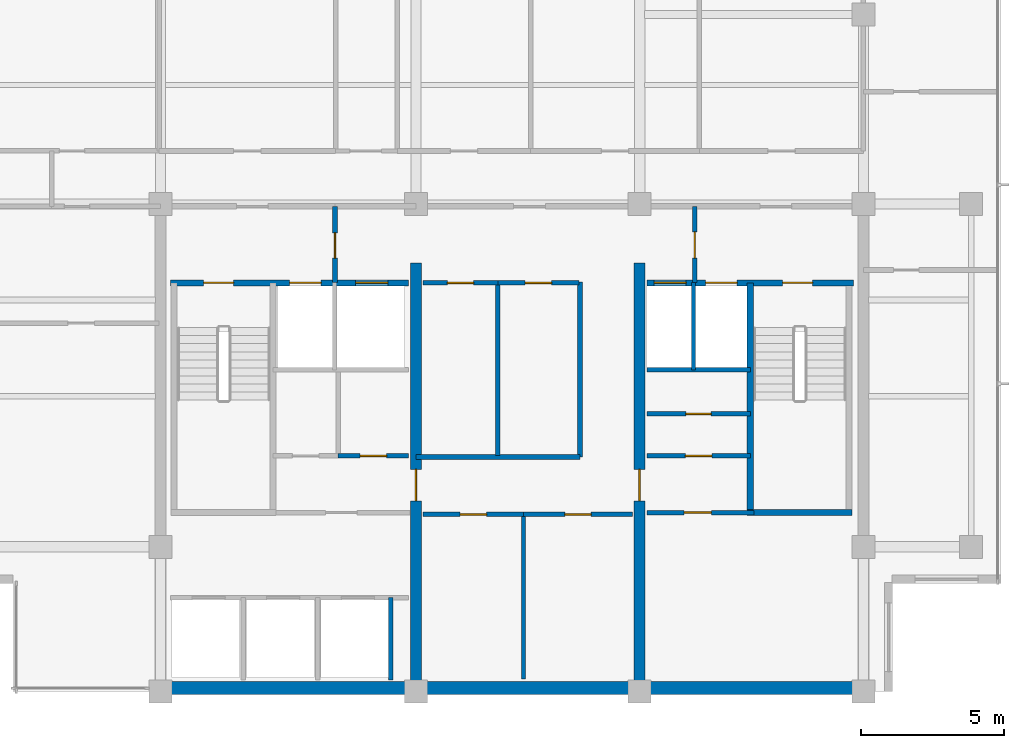
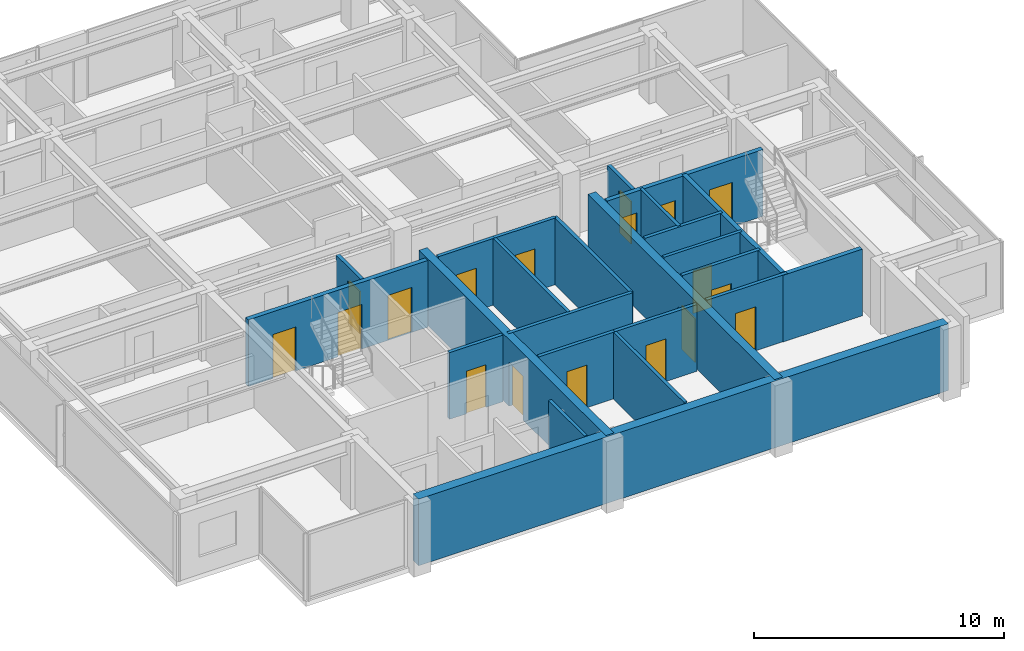
# One storey, part 6 of 11: 24 walls, 18 doors, 18 openings.
"""IFC4 building model written with IfcOpenShell, lengths in metres."""

from ifc_helpers import new_model, si_unit, direction, frame, frame_2d, origin, place, context, subcontext, project, spatial, rectangle, extrude, material, layer, layer_set, type_object, element, fill, save


model = new_model("IFC4")

# Units and contexts
model_context = context("Model", 3, precision=1e-05, world=origin(), true_north=direction((0.0, 1.0)))
body_context = subcontext(model_context, "Body", "Model", "MODEL_VIEW")
ifc_project = project(units=[si_unit("LENGTHUNIT", "METRE"), si_unit("AREAUNIT", "SQUARE_METRE"), si_unit("VOLUMEUNIT", "CUBIC_METRE"), si_unit("PLANEANGLEUNIT", "RADIAN"), si_unit("MASSUNIT", "GRAM", prefix="KILO")], contexts=[model_context])

# Site, building, storey
site_placement = place(None, origin())
site = spatial("IfcSite", under=ifc_project, at=site_placement, CompositionType="ELEMENT")
building_placement = place(site_placement, origin())
building = spatial("IfcBuilding", under=site, at=building_placement, Name="Qalmaran Belvedere Hotel", CompositionType="ELEMENT")
storey_placement = place(building_placement, frame((0.0, 0.0, 266.89990234375)))
storey = spatial("IfcBuildingStorey", under=building, at=storey_placement, Name="L69", CompositionType="ELEMENT", Elevation=266.89990234375)

# Wall, opening, door
ifc_material_1 = material(Name="Concrete C50/60", Category="concrete")
ifc_layer_1 = layer(ifc_material_1, 0.3798828125, Name="Concrete C50/60")
ifc_layer_set_1 = layer_set([ifc_layer_1], Name="Concrete C50/60")
wall_type_1 = type_object("IfcWallType", Name="WL-CORE-380-C50", PredefinedType="SHEAR", material=ifc_layer_set_1)
wall_1_placement = place(storey_placement, frame((29.199951171875, 3.5, 0.0), z_axis=(0.0, 0.0, 1.0), x_axis=(0.0, 1.0, 0.0)))
wall_1 = element("IfcWall", 1, at=wall_1_placement, inside=storey, type_object=wall_type_1, Name="L69 Core West Spine Shear Wall", PredefinedType="SHEAR", context=body_context, shape_type="SweptSolid", body=[
    extrude(rectangle(XDim=14.949951171875, YDim=0.3798828125, at=frame_2d((7.47509765625, 0.0))), origin(), (0.0, 0.0, 1.0), 3.260009765625),
])
opening_1_placement = place(wall_1_placement, frame((7.75, 0.0, 0.0), z_axis=(0.0, 0.0, 1.0), x_axis=(-1.0, 0.0, 0.0)))
opening_1 = element("IfcOpeningElement", 2, at=opening_1_placement, cuts=wall_1, Name="Opening FD90", PredefinedType="OPENING", context=body_context, shape_type="SweptSolid", body=[
    extrude(rectangle(XDim=1.10009765625, YDim=2.14990234375, at=frame_2d((0.550048828125, 1.074951171875))), frame((0.0, 0.199951171875, 0.0), z_axis=(0.0, -1.0, 0.0), x_axis=(1.0, 0.0, 0.0)), (0.0, 0.0, 1.0), 0.39990234375),
])
ifc_material_2 = material(Name="Steel S355JR", Category="steel")
door_type_1 = type_object("IfcDoorType", Name="DR-FD90-1100X2150", OperationType="NOTDEFINED", PredefinedType="DOOR", material=ifc_material_2)
door_1_placement = place(opening_1_placement, origin())
door_1 = element("IfcDoor", 3, at=door_1_placement, inside=storey, type_object=door_type_1, Name="L69 Core West Cross-Lobby Door", OperationType="SINGLE_SWING_RIGHT", OverallHeight=2.14990234375, OverallWidth=1.10009765625, PredefinedType="DOOR", context=body_context, shape_type="SweptSolid", body=[
    extrude(rectangle(XDim=1.10009765625, YDim=2.14990234375, at=frame_2d((0.550048828125, 1.074951171875))), frame((0.0, 0.02490234375, 0.0), z_axis=(0.0, -1.0, 0.0), x_axis=(1.0, 0.0, 0.0)), (0.0, 0.0, 1.0), 0.050048828125),
])
fill(opening_1, door_1)

wall_2_placement = place(storey_placement, frame((37.0, 3.5, 0.0), z_axis=(0.0, 0.0, 1.0), x_axis=(0.0, 1.0, 0.0)))
wall_2 = element("IfcWall", 4, at=wall_2_placement, inside=storey, type_object=wall_type_1, Name="L69 Core East Spine Shear Wall", PredefinedType="SHEAR", context=body_context, shape_type="SweptSolid", body=[
    extrude(rectangle(XDim=14.949951171875, YDim=0.3798828125, at=frame_2d((7.47509765625, 0.0))), origin(), (0.0, 0.0, 1.0), 3.260009765625),
])
opening_2_placement = place(wall_2_placement, frame((6.64990234375, 0.0, 0.0)))
opening_2 = element("IfcOpeningElement", 5, at=opening_2_placement, cuts=wall_2, Name="Opening FD90", PredefinedType="OPENING", context=body_context, shape_type="SweptSolid", body=[
    extrude(rectangle(XDim=1.10009765625, YDim=2.14990234375, at=frame_2d((0.550048828125, 1.074951171875))), frame((0.0, 0.199951171875, 0.0), z_axis=(0.0, -1.0, 0.0), x_axis=(1.0, 0.0, 0.0)), (0.0, 0.0, 1.0), 0.39990234375),
])
door_2_placement = place(opening_2_placement, origin())
door_2 = element("IfcDoor", 6, at=door_2_placement, inside=storey, type_object=door_type_1, Name="L69 Core East Cross-Lobby Door", OperationType="SINGLE_SWING_LEFT", OverallHeight=2.14990234375, OverallWidth=1.10009765625, PredefinedType="DOOR", context=body_context, shape_type="SweptSolid", body=[
    extrude(rectangle(XDim=1.10009765625, YDim=2.14990234375, at=frame_2d((0.550048828125, 1.074951171875))), frame((0.0, 0.02490234375, 0.0), z_axis=(0.0, -1.0, 0.0), x_axis=(1.0, 0.0, 0.0)), (0.0, 0.0, 1.0), 0.050048828125),
])
fill(opening_2, door_2)

# Walls
ifc_layer_2 = layer(ifc_material_1, 0.43994140625, Name="Concrete C50/60")
ifc_layer_set_2 = layer_set([ifc_layer_2], Name="Concrete C50/60")
wall_type_2 = type_object("IfcWallType", Name="WL-CORES-440-EXT", PredefinedType="SHEAR", material=ifc_layer_set_2)
wall_3_placement = place(storey_placement, frame((20.300048828125, 3.6298828125, 0.0), z_axis=(0.0, 0.0, 1.0), x_axis=(1.0, 0.0, 0.0)))
element("IfcWall", 7, at=wall_3_placement, inside=storey, type_object=wall_type_2, Name="L69 South Core Shear Wall", PredefinedType="SHEAR", context=body_context, shape_type="SweptSolid", body=[
    extrude(rectangle(XDim=24.5, YDim=0.43994140625, at=frame_2d((12.25, 0.0))), origin(), (0.0, 0.0, 1.0), 3.260009765625),
])
ifc_material_3 = material(Name="Gypsum Stud Partition")
ifc_layer_3 = layer(ifc_material_3, 0.14990234375, Name="Gypsum Stud Partition")
ifc_layer_set_3 = layer_set([ifc_layer_3], Name="Gypsum Stud Partition")
wall_type_3 = type_object("IfcWallType", Name="WL-INT-150-EI120", PredefinedType="PARTITIONING", material=ifc_layer_set_3)
wall_4_placement = place(storey_placement, frame((38.8798828125, 14.719970703125, 0.0), z_axis=(0.0, 0.0, 1.0), x_axis=(0.0, 1.0, 0.0)))
element("IfcWall", 8, at=wall_4_placement, inside=storey, type_object=wall_type_3, Name="L69 Partition WL-FF2M-L69", PredefinedType="PARTITIONING", context=body_context, shape_type="SweptSolid", body=[
    extrude(rectangle(XDim=3.0400390625, YDim=0.14990234375, at=frame_2d((1.52001953125, 0.0))), origin(), (0.0, 0.0, 1.0), 3.260009765625),
])
wall_5_placement = place(storey_placement, frame((28.320068359375, 3.89990234375, 0.0), z_axis=(0.0, 0.0, 1.0), x_axis=(0.0, 1.0, 0.0)))
element("IfcWall", 9, at=wall_5_placement, inside=storey, type_object=wall_type_3, Name="L69 Partition WL-POM3-L69", PredefinedType="PARTITIONING", context=body_context, shape_type="SweptSolid", body=[
    extrude(rectangle(XDim=2.880126953125, YDim=0.14990234375, at=frame_2d((1.43994140625, 0.0))), origin(), (0.0, 0.0, 1.0), 3.260009765625),
])

# Wall, opening, door
ifc_layer_4 = layer(ifc_material_3, 0.14990234375, Name="Gypsum Stud Partition")
ifc_layer_set_4 = layer_set([ifc_layer_4], Name="Gypsum Stud Partition")
wall_type_4 = type_object("IfcWallType", Name="WL-INT-150-EI60", PredefinedType="PARTITIONING", material=ifc_layer_set_4)
wall_6_placement = place(storey_placement, frame((37.25, 13.18505859375, 0.0), z_axis=(0.0, 0.0, 1.0), x_axis=(1.0, 0.0, 0.0)))
wall_6 = element("IfcWall", 10, at=wall_6_placement, inside=storey, type_object=wall_type_4, Name="L69 Partition WL-L69-KEHM", PredefinedType="PARTITIONING", context=body_context, shape_type="SweptSolid", body=[
    extrude(rectangle(XDim=3.610107421875, YDim=0.14990234375, at=frame_2d((1.80517578125, 0.0))), origin(), (0.0, 0.0, 1.0), 3.260009765625),
])
opening_3_placement = place(wall_6_placement, frame((1.364990234375, 0.0, 0.0)))
opening_3 = element("IfcOpeningElement", 11, at=opening_3_placement, cuts=wall_6, Name="Opening FD60B", PredefinedType="OPENING", context=body_context, shape_type="SweptSolid", body=[
    extrude(rectangle(XDim=0.8798828125, YDim=2.080078125, at=frame_2d((0.43994140625, 1.0400390625))), frame((0.0, 0.0849609375, 0.0), z_axis=(0.0, -1.0, 0.0), x_axis=(1.0, 0.0, 0.0)), (0.0, 0.0, 1.0), 0.169921875),
])
door_type_2 = type_object("IfcDoorType", Name="DR-FD60B-880X2080", OperationType="NOTDEFINED", PredefinedType="DOOR", material=ifc_material_2)
door_3_placement = place(opening_3_placement, origin())
door_3 = element("IfcDoor", 12, at=door_3_placement, inside=storey, type_object=door_type_2, Name="L69 Hotel Linen Closet Door", OperationType="SINGLE_SWING_RIGHT", OverallHeight=2.080078125, OverallWidth=0.8798828125, PredefinedType="DOOR", context=body_context, shape_type="SweptSolid", body=[
    extrude(rectangle(XDim=0.8798828125, YDim=2.080078125, at=frame_2d((0.43994140625, 1.0400390625))), frame((0.0, 0.02490234375, 0.0), z_axis=(0.0, -1.0, 0.0), x_axis=(1.0, 0.0, 0.0)), (0.0, 0.0, 1.0), 0.050048828125),
])
fill(opening_3, door_3)

# Walls
wall_7_placement = place(storey_placement, frame((32.9541015625, 3.949951171875, 0.0), z_axis=(0.0, 0.0, 1.0), x_axis=(0.0, 1.0, 0.0)))
element("IfcWall", 13, at=wall_7_placement, inside=storey, type_object=wall_type_4, Name="L69 Partition WL-L69-KPLV1", PredefinedType="PARTITIONING", context=body_context, shape_type="SweptSolid", body=[
    extrude(rectangle(XDim=5.72998046875, YDim=0.14990234375, at=frame_2d((2.864990234375, 0.0))), origin(), (0.0, 0.0, 1.0), 3.260009765625),
])
wall_8_placement = place(storey_placement, frame((32.056396484375, 11.739990234375, 0.0), z_axis=(0.0, 0.0, 1.0), x_axis=(0.0, 1.0, 0.0)))
element("IfcWall", 14, at=wall_8_placement, inside=storey, type_object=wall_type_4, Name="L69 Partition WL-L69-KPMV1", PredefinedType="PARTITIONING", context=body_context, shape_type="SweptSolid", body=[
    extrude(rectangle(XDim=6.010009765625, YDim=0.14990234375, at=frame_2d((3.0048828125, 0.0))), origin(), (0.0, 0.0, 1.0), 3.260009765625),
])

# Wall, opening, door
ifc_layer_5 = layer(ifc_material_3, 0.159912109375, Name="Gypsum Stud Partition")
ifc_layer_set_5 = layer_set([ifc_layer_5], Name="Gypsum Stud Partition")
wall_type_5 = type_object("IfcWallType", Name="WL-INT-160-EI120", PredefinedType="PARTITIONING", material=ifc_layer_set_5)
wall_9_placement = place(storey_placement, frame((26.3798828125, 17.760009765625, 0.0), z_axis=(0.0, 0.0, 1.0), x_axis=(0.0, 1.0, 0.0)))
wall_9 = element("IfcWall", 15, at=wall_9_placement, inside=storey, type_object=wall_type_5, Name="L69 Partition WL-FFSV1-L69", PredefinedType="PARTITIONING", context=body_context, shape_type="SweptSolid", body=[
    extrude(rectangle(XDim=2.659912109375, YDim=0.159912109375, at=frame_2d((1.330078125, 0.0))), origin(), (0.0, 0.0, 1.0), 2.781982421875),
])
opening_4_placement = place(wall_9_placement, frame((0.85009765625, 0.0, 0.0)))
opening_4 = element("IfcOpeningElement", 16, at=opening_4_placement, cuts=wall_9, Name="Opening FD60B", PredefinedType="OPENING", context=body_context, shape_type="SweptSolid", body=[
    extrude(rectangle(XDim=0.8798828125, YDim=2.080078125, at=frame_2d((0.43994140625, 1.0400390625))), frame((0.0, 0.08984375, 0.0), z_axis=(0.0, -1.0, 0.0), x_axis=(1.0, 0.0, 0.0)), (0.0, 0.0, 1.0), 0.179931640625),
])
door_4_placement = place(opening_4_placement, origin())
door_4 = element("IfcDoor", 17, at=door_4_placement, inside=storey, type_object=door_type_2, Name="L69 Service Lobby West Door", OperationType="SINGLE_SWING_RIGHT", OverallHeight=2.080078125, OverallWidth=0.8798828125, PredefinedType="DOOR", context=body_context, shape_type="SweptSolid", body=[
    extrude(rectangle(XDim=0.8798828125, YDim=2.080078125, at=frame_2d((0.43994140625, 1.0400390625))), frame((0.0, 0.02490234375, 0.0), z_axis=(0.0, -1.0, 0.0), x_axis=(1.0, 0.0, 0.0)), (0.0, 0.0, 1.0), 0.050048828125),
])
fill(opening_4, door_4)

wall_10_placement = place(storey_placement, frame((38.919921875, 17.760009765625, 0.0), z_axis=(0.0, 0.0, 1.0), x_axis=(0.0, 1.0, 0.0)))
wall_10 = element("IfcWall", 18, at=wall_10_placement, inside=storey, type_object=wall_type_5, Name="L69 Partition WL-FFSV2-L69", PredefinedType="PARTITIONING", context=body_context, shape_type="SweptSolid", body=[
    extrude(rectangle(XDim=2.659912109375, YDim=0.159912109375, at=frame_2d((1.330078125, 0.0))), origin(), (0.0, 0.0, 1.0), 2.781982421875),
])
opening_5_placement = place(wall_10_placement, frame((1.77001953125, 0.0, 0.0), z_axis=(0.0, 0.0, 1.0), x_axis=(-1.0, 0.0, 0.0)))
opening_5 = element("IfcOpeningElement", 19, at=opening_5_placement, cuts=wall_10, Name="Opening FD60S1", PredefinedType="OPENING", context=body_context, shape_type="SweptSolid", body=[
    extrude(rectangle(XDim=0.919921875, YDim=2.080078125, at=frame_2d((0.4599609375, 1.0400390625))), frame((0.0, 0.08984375, 0.0), z_axis=(0.0, -1.0, 0.0), x_axis=(1.0, 0.0, 0.0)), (0.0, 0.0, 1.0), 0.179931640625),
])
ifc_material_4 = material(Name="Engineered Oak Veneer")
door_type_3 = type_object("IfcDoorType", Name="DR-FD60S-920X2080", OperationType="NOTDEFINED", PredefinedType="DOOR", material=ifc_material_4)
door_5_placement = place(opening_5_placement, origin())
door_5 = element("IfcDoor", 20, at=door_5_placement, inside=storey, type_object=door_type_3, Name="L69 Service Lobby East Door", OperationType="SINGLE_SWING_LEFT", OverallHeight=2.080078125, OverallWidth=0.919921875, PredefinedType="DOOR", context=body_context, shape_type="SweptSolid", body=[
    extrude(rectangle(XDim=0.919921875, YDim=2.080078125, at=frame_2d((0.4599609375, 1.0400390625))), frame((0.0, 0.02490234375, 0.0), z_axis=(0.0, -1.0, 0.0), x_axis=(1.0, 0.0, 0.0)), (0.0, 0.0, 1.0), 0.050048828125),
])
fill(opening_5, door_5)

# Wall
wall_11_placement = place(storey_placement, frame((37.25, 14.719970703125, 0.0), z_axis=(0.0, 0.0, 1.0), x_axis=(1.0, 0.0, 0.0)))
element("IfcWall", 21, at=wall_11_placement, inside=storey, type_object=wall_type_5, Name="L69 Partition WL-FF2S-L69", PredefinedType="PARTITIONING", context=body_context, shape_type="SweptSolid", body=[
    extrude(rectangle(XDim=3.610107421875, YDim=0.159912109375, at=frame_2d((1.80517578125, 0.0))), origin(), (0.0, 0.0, 1.0), 3.260009765625),
])

# Wall, opening, door
ifc_layer_6 = layer(ifc_material_3, 0.159912109375, Name="Gypsum Stud Partition")
ifc_layer_set_6 = layer_set([ifc_layer_6], Name="Gypsum Stud Partition")
wall_type_6 = type_object("IfcWallType", Name="WL-INT-160-EI60", PredefinedType="PARTITIONING", material=ifc_layer_set_6)
wall_12_placement = place(storey_placement, frame((26.490478515625, 11.719970703125, 0.0), z_axis=(0.0, 0.0, 1.0), x_axis=(1.0, 0.0, 0.0)))
wall_12 = element("IfcWall", 22, at=wall_12_placement, inside=storey, type_object=wall_type_6, Name="L69 Partition WL-L69-KWE2", PredefinedType="PARTITIONING", context=body_context, shape_type="SweptSolid", body=[
    extrude(rectangle(XDim=2.45947265625, YDim=0.159912109375, at=frame_2d((1.229736328125, 0.0))), origin(), (0.0, 0.0, 1.0), 3.260009765625),
])
opening_6_placement = place(wall_12_placement, frame((0.769775390625, 0.0, 0.0)))
opening_6 = element("IfcOpeningElement", 23, at=opening_6_placement, cuts=wall_12, Name="Opening FD60S1", PredefinedType="OPENING", context=body_context, shape_type="SweptSolid", body=[
    extrude(rectangle(XDim=0.919921875, YDim=2.080078125, at=frame_2d((0.4599609375, 1.0400390625))), frame((0.0, 0.08984375, 0.0), z_axis=(0.0, -1.0, 0.0), x_axis=(1.0, 0.0, 0.0)), (0.0, 0.0, 1.0), 0.179931640625),
])
door_6_placement = place(opening_6_placement, origin())
door_6 = element("IfcDoor", 24, at=door_6_placement, inside=storey, type_object=door_type_3, Name="L69 Cleaner Supply Store Door", OperationType="SINGLE_SWING_RIGHT", OverallHeight=2.080078125, OverallWidth=0.919921875, PredefinedType="DOOR", context=body_context, shape_type="SweptSolid", body=[
    extrude(rectangle(XDim=0.919921875, YDim=2.080078125, at=frame_2d((0.4599609375, 1.0400390625))), frame((0.0, 0.02490234375, 0.0), z_axis=(0.0, -1.0, 0.0), x_axis=(1.0, 0.0, 0.0)), (0.0, 0.0, 1.0), 0.050048828125),
])
fill(opening_6, door_6)

wall_13_placement = place(storey_placement, frame((37.25, 11.719970703125, 0.0), z_axis=(0.0, 0.0, 1.0), x_axis=(1.0, 0.0, 0.0)))
wall_13 = element("IfcWall", 25, at=wall_13_placement, inside=storey, type_object=wall_type_6, Name="L69 Partition WL-L69-KEE1", PredefinedType="PARTITIONING", context=body_context, shape_type="SweptSolid", body=[
    extrude(rectangle(XDim=3.610107421875, YDim=0.159912109375, at=frame_2d((1.80517578125, 0.0))), origin(), (0.0, 0.0, 1.0), 3.260009765625),
])
opening_7_placement = place(wall_13_placement, frame((1.344970703125, 0.0, 0.0)))
opening_7 = element("IfcOpeningElement", 26, at=opening_7_placement, cuts=wall_13, Name="Opening FD60S1", PredefinedType="OPENING", context=body_context, shape_type="SweptSolid", body=[
    extrude(rectangle(XDim=0.919921875, YDim=2.080078125, at=frame_2d((0.4599609375, 1.0400390625))), frame((0.0, 0.08984375, 0.0), z_axis=(0.0, -1.0, 0.0), x_axis=(1.0, 0.0, 0.0)), (0.0, 0.0, 1.0), 0.179931640625),
])
door_7_placement = place(opening_7_placement, origin())
door_7 = element("IfcDoor", 27, at=door_7_placement, inside=storey, type_object=door_type_3, Name="L69 Low Voltage Switch Room Door", OperationType="SINGLE_SWING_LEFT", OverallHeight=2.080078125, OverallWidth=0.919921875, PredefinedType="DOOR", context=body_context, shape_type="SweptSolid", body=[
    extrude(rectangle(XDim=0.919921875, YDim=2.080078125, at=frame_2d((0.4599609375, 1.0400390625))), frame((0.0, 0.02490234375, 0.0), z_axis=(0.0, -1.0, 0.0), x_axis=(1.0, 0.0, 0.0)), (0.0, 0.0, 1.0), 0.050048828125),
])
fill(opening_7, door_7)

wall_14_placement = place(storey_placement, frame((37.25, 9.739990234375, 0.0), z_axis=(0.0, 0.0, 1.0), x_axis=(1.0, 0.0, 0.0)))
wall_14 = element("IfcWall", 28, at=wall_14_placement, inside=storey, type_object=wall_type_6, Name="L69 Partition WL-PHFR-L69", PredefinedType="PARTITIONING", context=body_context, shape_type="SweptSolid", body=[
    extrude(rectangle(XDim=3.72998046875, YDim=0.159912109375, at=frame_2d((1.864990234375, 0.0))), origin(), (0.0, 0.0, 1.0), 3.260009765625),
])
opening_8_placement = place(wall_14_placement, frame((2.25, 0.0, 0.0), z_axis=(0.0, 0.0, 1.0), x_axis=(-1.0, 0.0, 0.0)))
opening_8 = element("IfcOpeningElement", 29, at=opening_8_placement, cuts=wall_14, Name="Opening FD60", PredefinedType="OPENING", context=body_context, shape_type="SweptSolid", body=[
    extrude(rectangle(XDim=0.949951171875, YDim=2.14990234375, at=frame_2d((0.47509765625, 1.074951171875))), frame((0.0, 0.08984375, 0.0), z_axis=(0.0, -1.0, 0.0), x_axis=(1.0, 0.0, 0.0)), (0.0, 0.0, 1.0), 0.179931640625),
])
door_type_4 = type_object("IfcDoorType", Name="DR-FD60-950X2150", OperationType="NOTDEFINED", PredefinedType="DOOR", material=ifc_material_4)
door_8_placement = place(opening_8_placement, origin())
door_8 = element("IfcDoor", 30, at=door_8_placement, inside=storey, type_object=door_type_4, Name="L69 Freed PH Room Door", OperationType="SINGLE_SWING_RIGHT", OverallHeight=2.14990234375, OverallWidth=0.949951171875, PredefinedType="DOOR", context=body_context, shape_type="SweptSolid", body=[
    extrude(rectangle(XDim=0.949951171875, YDim=2.14990234375, at=frame_2d((0.47509765625, 1.074951171875))), frame((0.0, 0.02490234375, 0.0), z_axis=(0.0, -1.0, 0.0), x_axis=(1.0, 0.0, 0.0)), (0.0, 0.0, 1.0), 0.050048828125),
])
fill(opening_8, door_8)

# Wall
wall_15_placement = place(storey_placement, frame((34.919921875, 11.679931640625, 0.0), z_axis=(0.0, 0.0, 1.0), x_axis=(0.0, 1.0, 0.0)))
element("IfcWall", 31, at=wall_15_placement, inside=storey, type_object=wall_type_6, Name="L69 Partition WL-CLLV-L69", PredefinedType="PARTITIONING", context=body_context, shape_type="SweptSolid", body=[
    extrude(rectangle(XDim=6.10009765625, YDim=0.159912109375, at=frame_2d((3.050048828125, 0.0))), origin(), (0.0, 0.0, 1.0), 3.260009765625),
])

# Wall, opening, door
wall_16_placement = place(storey_placement, frame((29.449951171875, 9.679931640625, 0.0), z_axis=(0.0, 0.0, 1.0), x_axis=(1.0, 0.0, 0.0)))
wall_16 = element("IfcWall", 32, at=wall_16_placement, inside=storey, type_object=wall_type_6, Name="L69 Partition WL-L69-KPLE1", PredefinedType="PARTITIONING", context=body_context, shape_type="SweptSolid", body=[
    extrude(rectangle(XDim=3.504150390625, YDim=0.159912109375, at=frame_2d((1.751953125, 0.0))), origin(), (0.0, 0.0, 1.0), 3.260009765625),
])
opening_9_placement = place(wall_16_placement, frame((2.2119140625, 0.0, 0.0), z_axis=(0.0, 0.0, 1.0), x_axis=(-1.0, 0.0, 0.0)))
opening_9 = element("IfcOpeningElement", 33, at=opening_9_placement, cuts=wall_16, Name="Opening FD60S1", PredefinedType="OPENING", context=body_context, shape_type="SweptSolid", body=[
    extrude(rectangle(XDim=0.919921875, YDim=2.080078125, at=frame_2d((0.4599609375, 1.0400390625))), frame((0.0, 0.08984375, 0.0), z_axis=(0.0, -1.0, 0.0), x_axis=(1.0, 0.0, 0.0)), (0.0, 0.0, 1.0), 0.179931640625),
])
door_9_placement = place(opening_9_placement, origin())
door_9 = element("IfcDoor", 34, at=door_9_placement, inside=storey, type_object=door_type_3, Name="L69 Hotel Butler Service Pantry Door", OperationType="SINGLE_SWING_LEFT", OverallHeight=2.080078125, OverallWidth=0.919921875, PredefinedType="DOOR", context=body_context, shape_type="SweptSolid", body=[
    extrude(rectangle(XDim=0.919921875, YDim=2.080078125, at=frame_2d((0.4599609375, 1.0400390625))), frame((0.0, 0.02490234375, 0.0), z_axis=(0.0, -1.0, 0.0), x_axis=(1.0, 0.0, 0.0)), (0.0, 0.0, 1.0), 0.050048828125),
])
fill(opening_9, door_9)

wall_17_placement = place(storey_placement, frame((32.9541015625, 9.679931640625, 0.0), z_axis=(0.0, 0.0, 1.0), x_axis=(1.0, 0.0, 0.0)))
wall_17 = element("IfcWall", 35, at=wall_17_placement, inside=storey, type_object=wall_type_6, Name="L69 Partition WL-L69-KPLE2", PredefinedType="PARTITIONING", context=body_context, shape_type="SweptSolid", body=[
    extrude(rectangle(XDim=3.7958984375, YDim=0.159912109375, at=frame_2d((1.89794921875, 0.0))), origin(), (0.0, 0.0, 1.0), 3.260009765625),
])
opening_10_placement = place(wall_17_placement, frame((2.35791015625, 0.0, 0.0), z_axis=(0.0, 0.0, 1.0), x_axis=(-1.0, 0.0, 0.0)))
opening_10 = element("IfcOpeningElement", 36, at=opening_10_placement, cuts=wall_17, Name="Opening FD60S1", PredefinedType="OPENING", context=body_context, shape_type="SweptSolid", body=[
    extrude(rectangle(XDim=0.919921875, YDim=2.080078125, at=frame_2d((0.4599609375, 1.0400390625))), frame((0.0, 0.08984375, 0.0), z_axis=(0.0, -1.0, 0.0), x_axis=(1.0, 0.0, 0.0)), (0.0, 0.0, 1.0), 0.179931640625),
])
door_10_placement = place(opening_10_placement, origin())
door_10 = element("IfcDoor", 37, at=door_10_placement, inside=storey, type_object=door_type_3, Name="L69 Guest Valet Supply Store Door", OperationType="SINGLE_SWING_RIGHT", OverallHeight=2.080078125, OverallWidth=0.919921875, PredefinedType="DOOR", context=body_context, shape_type="SweptSolid", body=[
    extrude(rectangle(XDim=0.919921875, YDim=2.080078125, at=frame_2d((0.4599609375, 1.0400390625))), frame((0.0, 0.02490234375, 0.0), z_axis=(0.0, -1.0, 0.0), x_axis=(1.0, 0.0, 0.0)), (0.0, 0.0, 1.0), 0.050048828125),
])
fill(opening_10, door_10)

# Wall
wall_18_placement = place(storey_placement, frame((29.199951171875, 11.679931640625, 0.0), z_axis=(0.0, 0.0, 1.0), x_axis=(1.0, 0.0, 0.0)))
element("IfcWall", 38, at=wall_18_placement, inside=storey, type_object=wall_type_6, Name="L69 Partition WL-PMFS-L69", PredefinedType="PARTITIONING", context=body_context, shape_type="SweptSolid", body=[
    extrude(rectangle(XDim=5.719970703125, YDim=0.159912109375, at=frame_2d((2.85986328125, 0.0))), origin(), (0.0, 0.0, 1.0), 3.260009765625),
])

# Wall, opening, door
wall_19_placement = place(storey_placement, frame((29.449951171875, 17.75, 0.0), z_axis=(0.0, 0.0, 1.0), x_axis=(1.0, 0.0, 0.0)))
wall_19 = element("IfcWall", 39, at=wall_19_placement, inside=storey, type_object=wall_type_6, Name="L69 Partition WL-L69-KPME1", PredefinedType="PARTITIONING", context=body_context, shape_type="SweptSolid", body=[
    extrude(rectangle(XDim=2.6064453125, YDim=0.159912109375, at=frame_2d((1.30322265625, 0.0))), origin(), (0.0, 0.0, 1.0), 3.260009765625),
])
opening_11_placement = place(wall_19_placement, frame((1.76318359375, 0.0, 0.0), z_axis=(0.0, 0.0, 1.0), x_axis=(-1.0, 0.0, 0.0)))
opening_11 = element("IfcOpeningElement", 40, at=opening_11_placement, cuts=wall_19, Name="Opening FD60S1", PredefinedType="OPENING", context=body_context, shape_type="SweptSolid", body=[
    extrude(rectangle(XDim=0.919921875, YDim=2.080078125, at=frame_2d((0.4599609375, 1.0400390625))), frame((0.0, 0.08984375, 0.0), z_axis=(0.0, -1.0, 0.0), x_axis=(1.0, 0.0, 0.0)), (0.0, 0.0, 1.0), 0.179931640625),
])
door_11_placement = place(opening_11_placement, origin())
door_11 = element("IfcDoor", 41, at=door_11_placement, inside=storey, type_object=door_type_3, Name="L69 Floor Linen Supply Store Door", OperationType="SINGLE_SWING_LEFT", OverallHeight=2.080078125, OverallWidth=0.919921875, PredefinedType="DOOR", context=body_context, shape_type="SweptSolid", body=[
    extrude(rectangle(XDim=0.919921875, YDim=2.080078125, at=frame_2d((0.4599609375, 1.0400390625))), frame((0.0, 0.02490234375, 0.0), z_axis=(0.0, -1.0, 0.0), x_axis=(1.0, 0.0, 0.0)), (0.0, 0.0, 1.0), 0.050048828125),
])
fill(opening_11, door_11)

wall_20_placement = place(storey_placement, frame((32.056396484375, 17.75, 0.0), z_axis=(0.0, 0.0, 1.0), x_axis=(1.0, 0.0, 0.0)))
wall_20 = element("IfcWall", 42, at=wall_20_placement, inside=storey, type_object=wall_type_6, Name="L69 Partition WL-L69-KPME2", PredefinedType="PARTITIONING", context=body_context, shape_type="SweptSolid", body=[
    extrude(rectangle(XDim=2.823486328125, YDim=0.159912109375, at=frame_2d((1.41162109375, 0.0))), origin(), (0.0, 0.0, 1.0), 3.260009765625),
])
opening_12_placement = place(wall_20_placement, frame((1.871826171875, 0.0, 0.0), z_axis=(0.0, 0.0, 1.0), x_axis=(-1.0, 0.0, 0.0)))
opening_12 = element("IfcOpeningElement", 43, at=opening_12_placement, cuts=wall_20, Name="Opening FD60S1", PredefinedType="OPENING", context=body_context, shape_type="SweptSolid", body=[
    extrude(rectangle(XDim=0.919921875, YDim=2.080078125, at=frame_2d((0.4599609375, 1.0400390625))), frame((0.0, 0.08984375, 0.0), z_axis=(0.0, -1.0, 0.0), x_axis=(1.0, 0.0, 0.0)), (0.0, 0.0, 1.0), 0.179931640625),
])
door_12_placement = place(opening_12_placement, origin())
door_12 = element("IfcDoor", 44, at=door_12_placement, inside=storey, type_object=door_type_3, Name="L69 Core Tableware Store Door", OperationType="SINGLE_SWING_RIGHT", OverallHeight=2.080078125, OverallWidth=0.919921875, PredefinedType="DOOR", context=body_context, shape_type="SweptSolid", body=[
    extrude(rectangle(XDim=0.919921875, YDim=2.080078125, at=frame_2d((0.4599609375, 1.0400390625))), frame((0.0, 0.02490234375, 0.0), z_axis=(0.0, -1.0, 0.0), x_axis=(1.0, 0.0, 0.0)), (0.0, 0.0, 1.0), 0.050048828125),
])
fill(opening_12, door_12)

# Wall, openings, doors
ifc_layer_7 = layer(ifc_material_1, 0.2099609375, Name="Concrete C50/60")
ifc_layer_set_7 = layer_set([ifc_layer_7], Name="Concrete C50/60")
wall_type_7 = type_object("IfcWallType", Name="WL-STAIR-210-C50", PredefinedType="SHEAR", material=ifc_layer_set_7)
wall_21_placement = place(storey_placement, frame((20.64990234375, 17.7548828125, 0.0), z_axis=(0.0, 0.0, 1.0), x_axis=(1.0, 0.0, 0.0)))
wall_21 = element("IfcWall", 45, at=wall_21_placement, inside=storey, type_object=wall_type_7, Name="L69 West Lobby and Stair ST-1 North Bearing Wall", PredefinedType="SHEAR", context=body_context, shape_type="SweptSolid", body=[
    extrude(rectangle(XDim=8.300048828125, YDim=0.2099609375, at=frame_2d((4.14990234375, 0.0))), origin(), (0.0, 0.0, 1.0), 3.260009765625),
])
opening_13_placement = place(wall_21_placement, frame((2.199951171875, 0.0, 0.0), z_axis=(0.0, 0.0, 1.0), x_axis=(-1.0, 0.0, 0.0)))
opening_13 = element("IfcOpeningElement", 46, at=opening_13_placement, cuts=wall_21, Name="Opening FD90S2", PredefinedType="OPENING", context=body_context, shape_type="SweptSolid", body=[
    extrude(rectangle(XDim=1.050048828125, YDim=2.14990234375, at=frame_2d((0.52490234375, 1.074951171875))), frame((0.0, 0.114990234375, 0.0), z_axis=(0.0, -1.0, 0.0), x_axis=(1.0, 0.0, 0.0)), (0.0, 0.0, 1.0), 0.22998046875),
])
opening_14_placement = place(wall_21_placement, frame((4.14990234375, 0.0, 0.0)))
opening_14 = element("IfcOpeningElement", 47, at=opening_14_placement, cuts=wall_21, Name="Opening LD-FF", PredefinedType="OPENING", context=body_context, shape_type="SweptSolid", body=[
    extrude(rectangle(XDim=1.10009765625, YDim=2.179931640625, at=frame_2d((0.550048828125, 1.08984375))), frame((0.0, 0.114990234375, 0.0), z_axis=(0.0, -1.0, 0.0), x_axis=(1.0, 0.0, 0.0)), (0.0, 0.0, 1.0), 0.22998046875),
])
opening_15_placement = place(wall_21_placement, frame((6.449951171875, 0.0, 0.0)))
opening_15 = element("IfcOpeningElement", 48, at=opening_15_placement, cuts=wall_21, Name="Opening LD-SV", PredefinedType="OPENING", context=body_context, shape_type="SweptSolid", body=[
    extrude(rectangle(XDim=1.1201171875, YDim=2.199951171875, at=frame_2d((0.56005859375, 1.10009765625))), frame((0.0, 0.114990234375, 0.0), z_axis=(0.0, -1.0, 0.0), x_axis=(1.0, 0.0, 0.0)), (0.0, 0.0, 1.0), 0.22998046875),
])
door_type_5 = type_object("IfcDoorType", Name="DR-FD90S-1050X2150", OperationType="NOTDEFINED", PredefinedType="DOOR", material=ifc_material_2)
door_13_placement = place(opening_13_placement, origin())
door_13 = element("IfcDoor", 49, at=door_13_placement, inside=storey, type_object=door_type_5, Name="L69 Stair ST-1 Door", OperationType="SINGLE_SWING_RIGHT", OverallHeight=2.14990234375, OverallWidth=1.050048828125, PredefinedType="DOOR", context=body_context, shape_type="SweptSolid", body=[
    extrude(rectangle(XDim=1.050048828125, YDim=2.14990234375, at=frame_2d((0.52490234375, 1.074951171875))), frame((0.0, 0.02490234375, 0.0), z_axis=(0.0, -1.0, 0.0), x_axis=(1.0, 0.0, 0.0)), (0.0, 0.0, 1.0), 0.050048828125),
])
fill(opening_13, door_13)
ifc_material_5 = material(Name="Stainless Steel 1.4401", Category="steel")
door_type_6 = type_object("IfcDoorType", Name="DR-LIFT-FF-1100X2180", OperationType="DOUBLE_DOOR_SLIDING", PredefinedType="DOOR", material=ifc_material_5)
door_14_placement = place(opening_14_placement, origin())
door_14 = element("IfcDoor", 50, at=door_14_placement, inside=storey, type_object=door_type_6, Name="L69 FF1 Lift Landing Door", OperationType="DOUBLE_DOOR_SLIDING", OverallHeight=2.179931640625, OverallWidth=1.10009765625, PredefinedType="DOOR", context=body_context, shape_type="SweptSolid", body=[
    extrude(rectangle(XDim=1.10009765625, YDim=2.179931640625, at=frame_2d((0.550048828125, 1.08984375))), frame((0.0, 0.02490234375, 0.0), z_axis=(0.0, -1.0, 0.0), x_axis=(1.0, 0.0, 0.0)), (0.0, 0.0, 1.0), 0.050048828125),
])
fill(opening_14, door_14)
door_type_7 = type_object("IfcDoorType", Name="DR-LIFT-SV-1120X2200", OperationType="DOUBLE_DOOR_SLIDING", PredefinedType="DOOR", material=ifc_material_5)
door_15_placement = place(opening_15_placement, origin())
door_15 = element("IfcDoor", 51, at=door_15_placement, inside=storey, type_object=door_type_7, Name="L69 SV1 Lift Landing Door", OperationType="DOUBLE_DOOR_SLIDING", OverallHeight=2.199951171875, OverallWidth=1.1201171875, PredefinedType="DOOR", context=body_context, shape_type="SweptSolid", body=[
    extrude(rectangle(XDim=1.1201171875, YDim=2.199951171875, at=frame_2d((0.56005859375, 1.10009765625))), frame((0.0, 0.02490234375, 0.0), z_axis=(0.0, -1.0, 0.0), x_axis=(1.0, 0.0, 0.0)), (0.0, 0.0, 1.0), 0.050048828125),
])
fill(opening_15, door_15)

# Walls
wall_22_placement = place(storey_placement, frame((40.85498046875, 9.7451171875, 0.0), z_axis=(0.0, 0.0, 1.0), x_axis=(0.0, 1.0, 0.0)))
element("IfcWall", 52, at=wall_22_placement, inside=storey, type_object=wall_type_7, Name="L69 Stair ST-2 West Bearing Wall", PredefinedType="SHEAR", context=body_context, shape_type="SweptSolid", body=[
    extrude(rectangle(XDim=8.009765625, YDim=0.2099609375, at=frame_2d((4.0048828125, 0.0))), origin(), (0.0, 0.0, 1.0), 3.260009765625),
])
wall_23_placement = place(storey_placement, frame((40.75, 9.7451171875, 0.0), z_axis=(0.0, 0.0, 1.0), x_axis=(1.0, 0.0, 0.0)))
element("IfcWall", 53, at=wall_23_placement, inside=storey, type_object=wall_type_7, Name="L69 Stair ST-2 South Bearing Wall", PredefinedType="SHEAR", context=body_context, shape_type="SweptSolid", body=[
    extrude(rectangle(XDim=3.659912109375, YDim=0.2099609375, at=frame_2d((1.830078125, 0.0))), origin(), (0.0, 0.0, 1.0), 3.260009765625),
])

# Wall, openings, doors
wall_24_placement = place(storey_placement, frame((37.25, 17.7548828125, 0.0), z_axis=(0.0, 0.0, 1.0), x_axis=(1.0, 0.0, 0.0)))
wall_24 = element("IfcWall", 54, at=wall_24_placement, inside=storey, type_object=wall_type_7, Name="L69 East Lobby and Stair ST-2 North Bearing Wall", PredefinedType="SHEAR", context=body_context, shape_type="SweptSolid", body=[
    extrude(rectangle(XDim=7.199951171875, YDim=0.2099609375, at=frame_2d((3.60009765625, 0.0))), origin(), (0.0, 0.0, 1.0), 3.260009765625),
])
opening_16_placement = place(wall_24_placement, frame((0.25, 0.0, 0.0)))
opening_16 = element("IfcOpeningElement", 55, at=opening_16_placement, cuts=wall_24, Name="Opening LD-SV", PredefinedType="OPENING", context=body_context, shape_type="SweptSolid", body=[
    extrude(rectangle(XDim=1.1201171875, YDim=2.199951171875, at=frame_2d((0.56005859375, 1.10009765625))), frame((0.0, 0.114990234375, 0.0), z_axis=(0.0, -1.0, 0.0), x_axis=(1.0, 0.0, 0.0)), (0.0, 0.0, 1.0), 0.22998046875),
])
opening_17_placement = place(wall_24_placement, frame((2.050048828125, 0.0, 0.0)))
opening_17 = element("IfcOpeningElement", 56, at=opening_17_placement, cuts=wall_24, Name="Opening LD-FF", PredefinedType="OPENING", context=body_context, shape_type="SweptSolid", body=[
    extrude(rectangle(XDim=1.10009765625, YDim=2.179931640625, at=frame_2d((0.550048828125, 1.08984375))), frame((0.0, 0.114990234375, 0.0), z_axis=(0.0, -1.0, 0.0), x_axis=(1.0, 0.0, 0.0)), (0.0, 0.0, 1.0), 0.22998046875),
])
opening_18_placement = place(wall_24_placement, frame((5.780029296875, 0.0, 0.0), z_axis=(0.0, 0.0, 1.0), x_axis=(-1.0, 0.0, 0.0)))
opening_18 = element("IfcOpeningElement", 57, at=opening_18_placement, cuts=wall_24, Name="Opening FD90S2", PredefinedType="OPENING", context=body_context, shape_type="SweptSolid", body=[
    extrude(rectangle(XDim=1.050048828125, YDim=2.14990234375, at=frame_2d((0.52490234375, 1.074951171875))), frame((0.0, 0.114990234375, 0.0), z_axis=(0.0, -1.0, 0.0), x_axis=(1.0, 0.0, 0.0)), (0.0, 0.0, 1.0), 0.22998046875),
])
door_16_placement = place(opening_18_placement, origin())
door_16 = element("IfcDoor", 58, at=door_16_placement, inside=storey, type_object=door_type_5, Name="L69 Stair ST-2 Door", OperationType="SINGLE_SWING_LEFT", OverallHeight=2.14990234375, OverallWidth=1.050048828125, PredefinedType="DOOR", context=body_context, shape_type="SweptSolid", body=[
    extrude(rectangle(XDim=1.050048828125, YDim=2.14990234375, at=frame_2d((0.52490234375, 1.074951171875))), frame((0.0, 0.02490234375, 0.0), z_axis=(0.0, -1.0, 0.0), x_axis=(1.0, 0.0, 0.0)), (0.0, 0.0, 1.0), 0.050048828125),
])
fill(opening_18, door_16)
door_17_placement = place(opening_17_placement, origin())
door_17 = element("IfcDoor", 59, at=door_17_placement, inside=storey, type_object=door_type_6, Name="L69 FF2 Lift Landing Door", OperationType="DOUBLE_DOOR_SLIDING", OverallHeight=2.179931640625, OverallWidth=1.10009765625, PredefinedType="DOOR", context=body_context, shape_type="SweptSolid", body=[
    extrude(rectangle(XDim=1.10009765625, YDim=2.179931640625, at=frame_2d((0.550048828125, 1.08984375))), frame((0.0, 0.02490234375, 0.0), z_axis=(0.0, -1.0, 0.0), x_axis=(1.0, 0.0, 0.0)), (0.0, 0.0, 1.0), 0.050048828125),
])
fill(opening_17, door_17)
door_18_placement = place(opening_16_placement, origin())
door_18 = element("IfcDoor", 60, at=door_18_placement, inside=storey, type_object=door_type_7, Name="L69 SV2 Lift Landing Door", OperationType="DOUBLE_DOOR_SLIDING", OverallHeight=2.199951171875, OverallWidth=1.1201171875, PredefinedType="DOOR", context=body_context, shape_type="SweptSolid", body=[
    extrude(rectangle(XDim=1.1201171875, YDim=2.199951171875, at=frame_2d((0.56005859375, 1.10009765625))), frame((0.0, 0.02490234375, 0.0), z_axis=(0.0, -1.0, 0.0), x_axis=(1.0, 0.0, 0.0)), (0.0, 0.0, 1.0), 0.050048828125),
])
fill(opening_16, door_18)

save(model, "model.ifc")
